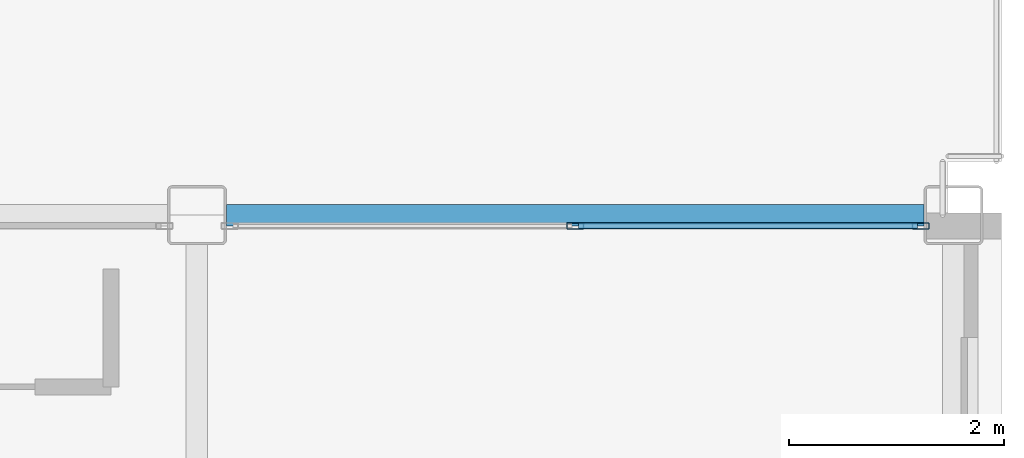
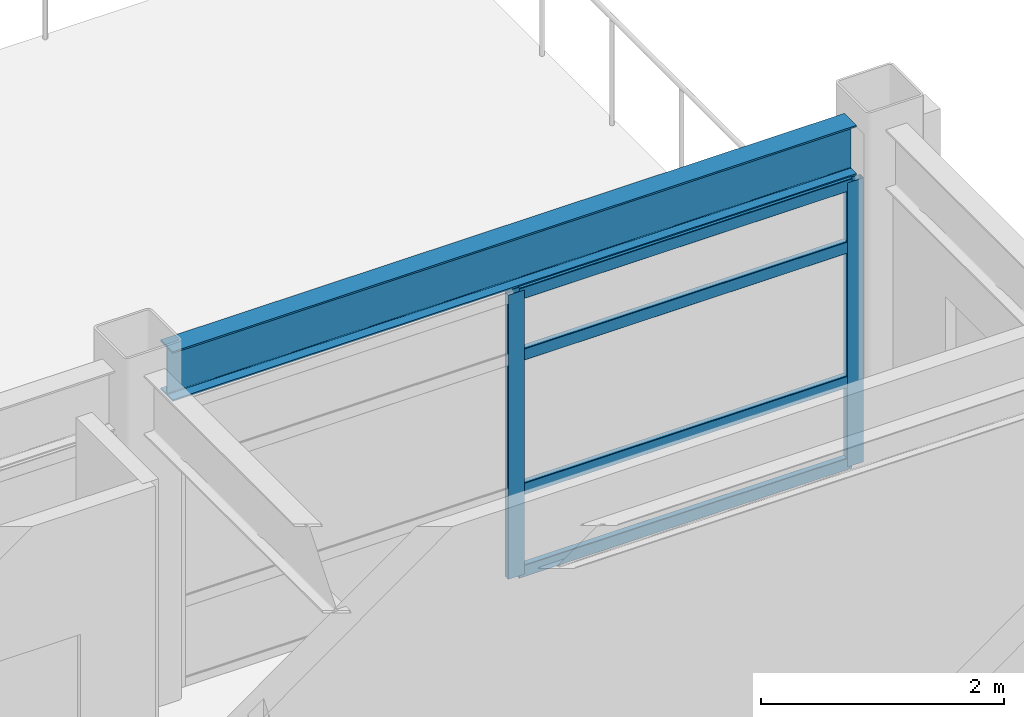
# One storey, part 22 of 36: 6 members, 1 beam, 1 element without a shape of its own.
"""IFC4 building model written with IfcOpenShell, lengths in metres."""

from ifc_helpers import new_model, si_unit, direction, frame, origin, origin_2d, place, context, subcontext, project, spatial, hollow_rectangle, i_section, extrude, material, layer, layer_set, material_profile, profile_set, type_object, element, aggregate, save


model = new_model("IFC4")

# Units and contexts
model_context = context("Model", 3, precision=1e-05, world=origin(), true_north=direction((0.0, 1.0)))
body_context = subcontext(model_context, "Body", "Model", "MODEL_VIEW")
ifc_project = project(units=[si_unit("LENGTHUNIT", "METRE"), si_unit("AREAUNIT", "SQUARE_METRE"), si_unit("VOLUMEUNIT", "CUBIC_METRE"), si_unit("PLANEANGLEUNIT", "RADIAN"), si_unit("MASSUNIT", "GRAM", prefix="KILO")], contexts=[model_context])

# Site, building, storey
site_placement = place(None, origin())
site = spatial("IfcSite", under=ifc_project, at=site_placement, CompositionType="ELEMENT")
building_placement = place(site_placement, origin())
building = spatial("IfcBuilding", under=site, at=building_placement, Name="Kazehara Bluff Congress Hotel", CompositionType="ELEMENT")
storey_placement = place(building_placement, frame((0.0, 0.0, 31.800048828125)))
storey = spatial("IfcBuildingStorey", under=building, at=storey_placement, Name="L07", CompositionType="ELEMENT", Elevation=31.800048828125)

# Curtain wall, members
ifc_material_1 = material(Name="Anodised aluminium", Category="aluminium")
ifc_layer = layer(ifc_material_1, 0.159912109375)
ifc_layer_set = layer_set([ifc_layer], Name="Anodised aluminium")
curtain_wall_type = type_object("IfcCurtainWallType", Name="TP-CW-173", PredefinedType="NOTDEFINED", material=ifc_layer_set)
curtain_wall_placement = place(storey_placement, origin())
curtain_wall = element("IfcCurtainWall", 1, at=curtain_wall_placement, inside=storey, type_object=curtain_wall_type, Name="L07 curtain wall CW-173 CW-ENC-V5-L07-16402-9680", PredefinedType="NOTDEFINED")
ifc_material_2 = material(Name="Anodised aluminium", Category="aluminium")
ifc_material_profile_1 = material_profile(ifc_material_2, hollow_rectangle(XDim=0.06005859375, YDim=0.159912109375, WallThickness=0.00390625, InnerFilletRadius=0.00390625, OuterFilletRadius=0.008056640625, at=origin_2d()))
ifc_profile_set_1 = profile_set([ifc_material_profile_1], Name="Anodised aluminium")
member_type_1 = type_object("IfcMemberType", Name="TP-CWM-01", PredefinedType="MULLION", material=ifc_profile_set_1)
member_1_placement = place(storey_placement, frame((164.02490234375, 96.800048828125, 0.0), z_axis=(0.0, 0.0, 1.0), x_axis=(0.0, 1.0, 0.0)))
member_1 = element("IfcMember", 2, at=member_1_placement, type_object=member_type_1, Name="CW-173 mullion 2", PredefinedType="MULLION", context=body_context, shape_type="SweptSolid", body=[
    extrude(hollow_rectangle(XDim=0.06005859375, YDim=0.159912109375, WallThickness=0.00390625, InnerFilletRadius=0.00390625, OuterFilletRadius=0.008056640625, at=origin_2d()), origin(), (0.0, 0.0, 1.0), 2.85498046875),
])
member_2_placement = place(storey_placement, frame((167.2451171875, 96.800048828125, 0.0), z_axis=(0.0, 0.0, 1.0), x_axis=(0.0, 1.0, 0.0)))
member_2 = element("IfcMember", 3, at=member_2_placement, type_object=member_type_1, Name="CW-173 mullion 3", PredefinedType="MULLION", context=body_context, shape_type="SweptSolid", body=[
    extrude(hollow_rectangle(XDim=0.06005859375, YDim=0.159912109375, WallThickness=0.00390625, InnerFilletRadius=0.00390625, OuterFilletRadius=0.008056640625, at=origin_2d()), origin(), (0.0, 0.0, 1.0), 2.85498046875),
])
ifc_material_3 = material(Name="Anodised aluminium", Category="aluminium")
ifc_material_profile_2 = material_profile(ifc_material_3, hollow_rectangle(XDim=0.06005859375, YDim=0.1201171875, WallThickness=0.00390625, InnerFilletRadius=0.00390625, OuterFilletRadius=0.008056640625, at=origin_2d()))
ifc_profile_set_2 = profile_set([ifc_material_profile_2], Name="Anodised aluminium")
member_type_2 = type_object("IfcMemberType", Name="TP-CWT-01", PredefinedType="USERDEFINED", material=ifc_profile_set_2)
member_3_placement = place(storey_placement, frame((164.054931640625, 96.800048828125, 0.030029296875), z_axis=(1.0, 0.0, 0.0), x_axis=(0.0, 1.0, 0.0)))
member_3 = element("IfcMember", 4, at=member_3_placement, type_object=member_type_2, Name="CW-173 transom 2.1", ObjectType="TRANSOM", PredefinedType="USERDEFINED", context=body_context, shape_type="SweptSolid", body=[
    extrude(hollow_rectangle(XDim=0.06005859375, YDim=0.1201171875, WallThickness=0.00390625, InnerFilletRadius=0.00390625, OuterFilletRadius=0.008056640625, at=origin_2d()), origin(), (0.0, 0.0, 1.0), 3.16015625),
])
member_4_placement = place(storey_placement, frame((164.054931640625, 96.800048828125, 0.85498046875), z_axis=(1.0, 0.0, 0.0), x_axis=(0.0, 1.0, 0.0)))
member_4 = element("IfcMember", 5, at=member_4_placement, type_object=member_type_2, Name="CW-173 transom 2.2", ObjectType="TRANSOM", PredefinedType="USERDEFINED", context=body_context, shape_type="SweptSolid", body=[
    extrude(hollow_rectangle(XDim=0.06005859375, YDim=0.1201171875, WallThickness=0.00390625, InnerFilletRadius=0.00390625, OuterFilletRadius=0.008056640625, at=origin_2d()), origin(), (0.0, 0.0, 1.0), 3.16015625),
])
member_5_placement = place(storey_placement, frame((164.054931640625, 96.800048828125, 2.204833984375), z_axis=(1.0, 0.0, 0.0), x_axis=(0.0, 1.0, 0.0)))
member_5 = element("IfcMember", 6, at=member_5_placement, type_object=member_type_2, Name="CW-173 transom 2.3", ObjectType="TRANSOM", PredefinedType="USERDEFINED", context=body_context, shape_type="SweptSolid", body=[
    extrude(hollow_rectangle(XDim=0.06005859375, YDim=0.1201171875, WallThickness=0.00390625, InnerFilletRadius=0.00390625, OuterFilletRadius=0.008056640625, at=origin_2d()), origin(), (0.0, 0.0, 1.0), 3.16015625),
])
member_6_placement = place(storey_placement, frame((164.054931640625, 96.800048828125, 2.824951171875), z_axis=(1.0, 0.0, 0.0), x_axis=(0.0, 1.0, 0.0)))
member_6 = element("IfcMember", 7, at=member_6_placement, type_object=member_type_2, Name="CW-173 transom 2.4", ObjectType="TRANSOM", PredefinedType="USERDEFINED", context=body_context, shape_type="SweptSolid", body=[
    extrude(hollow_rectangle(XDim=0.06005859375, YDim=0.1201171875, WallThickness=0.00390625, InnerFilletRadius=0.00390625, OuterFilletRadius=0.008056640625, at=origin_2d()), origin(), (0.0, 0.0, 1.0), 3.16015625),
])
aggregate(curtain_wall, [member_1, member_2, member_3, member_4, member_5, member_6])

# Beam
ifc_material_4 = material(Name="Steel SN490B", Category="steel")
ifc_material_profile_3 = material_profile(ifc_material_4, i_section(OverallWidth=0.199951171875, OverallDepth=0.5, WebThickness=0.010009765625, FlangeThickness=0.01611328125, FilletRadius=0.012939453125, at=origin_2d()))
ifc_profile_set_3 = profile_set([ifc_material_profile_3], Name="Steel SN490B")
beam_type = type_object("IfcBeamType", Name="TP-G-01", PredefinedType="BEAM", material=ifc_profile_set_3)
beam_placement = place(storey_placement, frame((160.77490234375, 96.89990234375, 3.1298828125), z_axis=(1.0, 0.0, 0.0), x_axis=(0.0, 1.0, 0.0)))
element("IfcBeam", 8, at=beam_placement, inside=storey, type_object=beam_type, Name="L07 girder G-01 67", PredefinedType="BEAM", context=body_context, shape_type="SweptSolid", body=[
    extrude(i_section(OverallWidth=0.199951171875, OverallDepth=0.5, WebThickness=0.010009765625, FlangeThickness=0.01611328125, FilletRadius=0.012939453125, at=origin_2d()), origin(), (0.0, 0.0, 1.0), 6.5),
])

save(model, "model.ifc")
